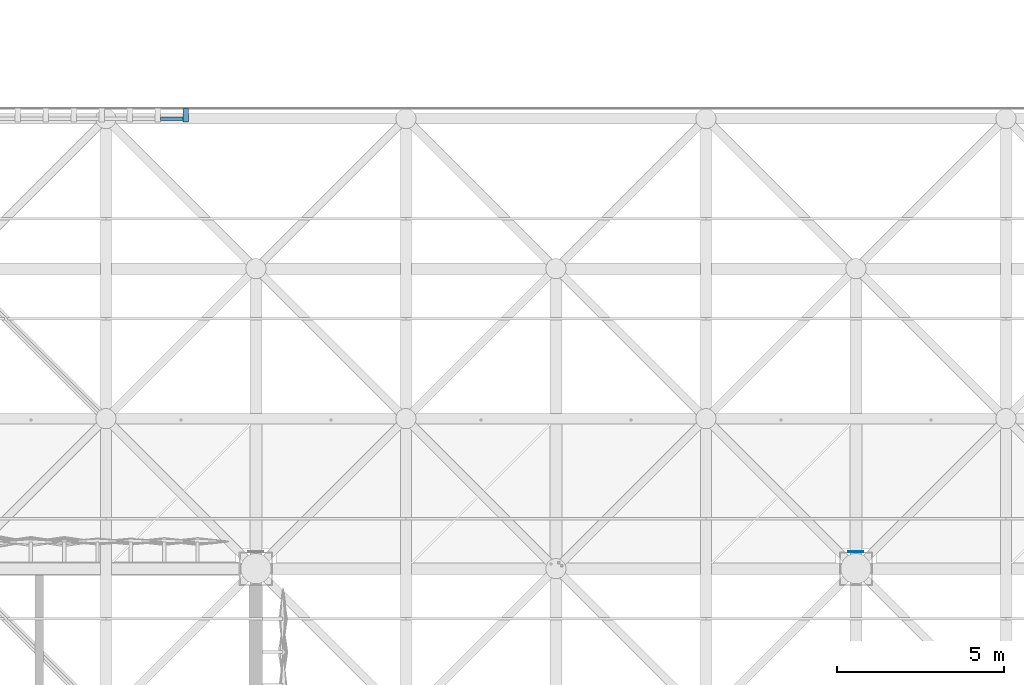
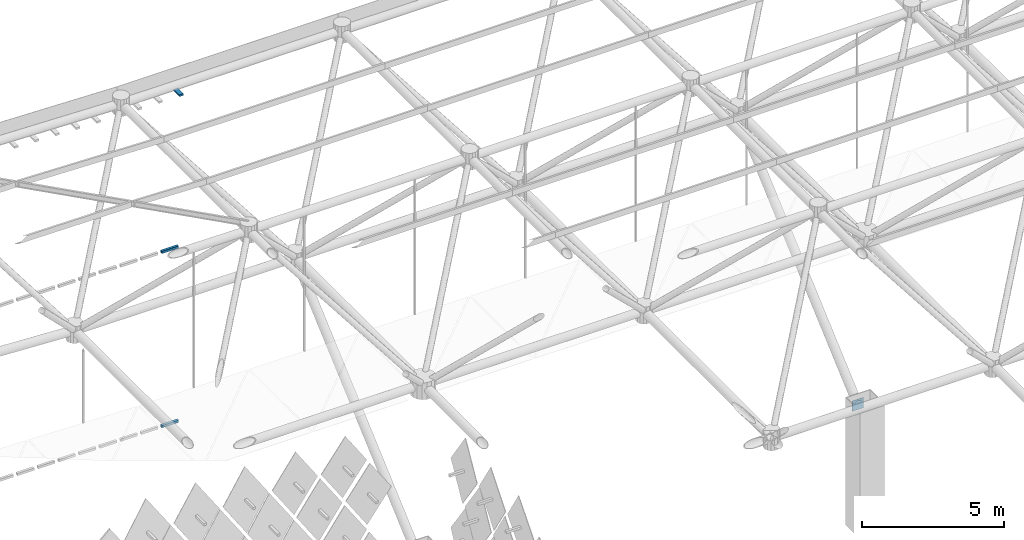
# One storey, part 390 of 437: 4 discrete accessories.
"""IFC4 building model written with IfcOpenShell, lengths in metres."""

from ifc_helpers import new_model, si_unit, direction, frame, origin, origin_2d, place, context, subcontext, project, spatial, polyline, rectangle, hollow_rectangle, outline, extrude, material, layer, layer_set, material_profile, profile_set, type_object, element, save


model = new_model("IFC4")

# Units and contexts
model_context = context("Model", 3, precision=1e-05, world=origin(), true_north=direction((0.0, 1.0)))
body_context = subcontext(model_context, "Body", "Model", "MODEL_VIEW")
ifc_project = project(units=[si_unit("LENGTHUNIT", "METRE"), si_unit("AREAUNIT", "SQUARE_METRE"), si_unit("VOLUMEUNIT", "CUBIC_METRE"), si_unit("PLANEANGLEUNIT", "RADIAN"), si_unit("MASSUNIT", "GRAM", prefix="KILO")], contexts=[model_context])

# Site, building, storey
site_placement = place(None, origin())
site = spatial("IfcSite", under=ifc_project, at=site_placement, CompositionType="ELEMENT")
building_placement = place(site_placement, origin())
building = spatial("IfcBuilding", under=site, at=building_placement, Name="Opaline Strait Convention Centre", CompositionType="ELEMENT")
storey_placement = place(building_placement, frame((0.0, 0.0, 11.5)))
storey = spatial("IfcBuildingStorey", under=building, at=storey_placement, Name="L02", CompositionType="ELEMENT", Elevation=11.5)

# Discrete accessories
ifc_material_1 = material(Name="Steel Q355B", Category="steel")
discrete_accessory_type_1 = type_object("IfcDiscreteAccessoryType", Name="Blade head bracket 160x400x80", PredefinedType="BRACKET", material=ifc_material_1)
discrete_accessory_1_placement = place(storey_placement, frame((150.89990234375, 166.60009765625, 17.5), z_axis=(0.0, 0.0, 1.0), x_axis=(1.0, 0.0, 0.0)))
element("IfcDiscreteAccessory", 1, at=discrete_accessory_1_placement, inside=storey, type_object=discrete_accessory_type_1, Name="Blade head bracket W26", PredefinedType="BRACKET", context=body_context, shape_type="SweptSolid", body=[
    extrude(rectangle(XDim=0.159912109375, YDim=0.39990234375, at=origin_2d()), origin(), (0.0, 0.0, 1.0), 0.080078125),
])
ifc_material_profile = material_profile(ifc_material_1, hollow_rectangle(XDim=0.10009765625, YDim=0.10009765625, WallThickness=0.006103515625, at=origin_2d()), Name="RHS 100x100x6")
ifc_profile_set = profile_set([ifc_material_profile], Name="Steel Q355B")
discrete_accessory_type_2 = type_object("IfcDiscreteAccessoryType", Name="Blade rail RHS 100x100x6", PredefinedType="BRACKET", material=ifc_profile_set)
for number, where, z_axis, x_axis, name in (
    (2, (150.139892578125, 166.5, 3.5), (1.0, 0.0, 0.0), (0.0, 1.0, 0.0), "Blade rail 2 W"),
    (3, (150.139892578125, 166.5, 11.0), (1.0, 0.0, 0.0), (0.0, 1.0, 0.0), "Blade rail 3 W"),
):
    element("IfcDiscreteAccessory", number, at=place(storey_placement, frame(where, z_axis=z_axis, x_axis=x_axis)), inside=storey, type_object=discrete_accessory_type_2, Name=name, PredefinedType="BRACKET", context=body_context, shape_type="SweptSolid", body=[
        extrude(hollow_rectangle(XDim=0.10009765625, YDim=0.10009765625, WallThickness=0.006103515625, at=origin_2d()), origin(), (0.0, 0.0, 1.0), 0.68017578125),
    ])
ifc_material_2 = material(Name="Structural steel Q355B", Category="steel")
ifc_layer = layer(ifc_material_2, 0.01611328125)
ifc_layer_set = layer_set([ifc_layer], Name="Structural steel Q355B")
discrete_accessory_type_3 = type_object("IfcDiscreteAccessoryType", Name="Prop bearing plate 450 x 450 x 16", PredefinedType="ANCHORPLATE", material=ifc_layer_set)
discrete_accessory_2_placement = place(storey_placement, frame((0.0, 0.0, 4.7890625)))
element("IfcDiscreteAccessory", 4, at=discrete_accessory_2_placement, inside=storey, type_object=discrete_accessory_type_3, Name="Prop bearing plate 171/153 N", PredefinedType="ANCHORPLATE", context=body_context, shape_type="SweptSolid", body=[
    extrude(outline(polyline([(170.77490234375, 153.5), (171.22509765625, 153.5), (171.22509765625, 153.51611328125), (170.77490234375, 153.51611328125), (170.77490234375, 153.5)])), origin(), (0.0, 0.0, 1.0), 0.449951171875),
])

save(model, "model.ifc")
